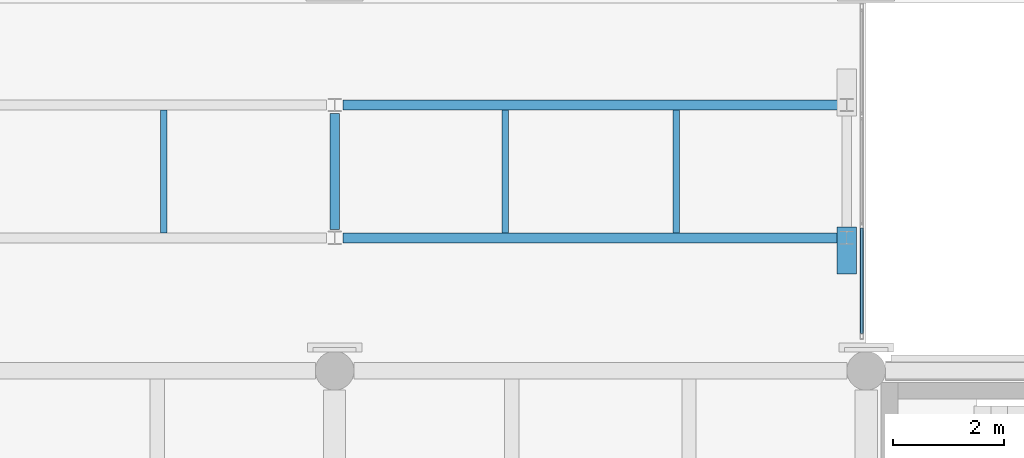
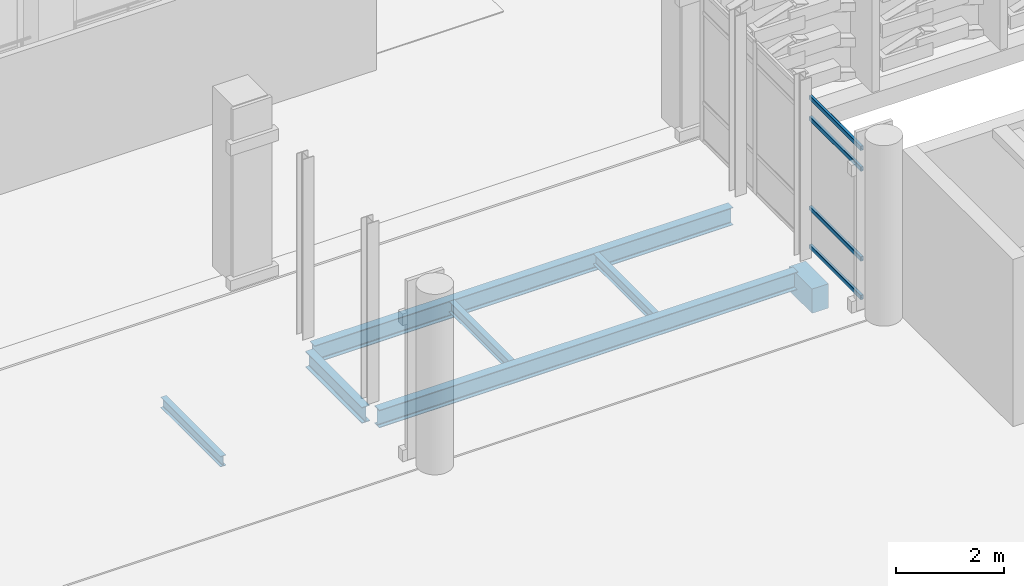
# One storey, part 81 of 180: 7 beams, 4 members, 1 element without a shape of its own.
"""IFC4 building model written with IfcOpenShell, lengths in metres."""

import ifcopenshell
import ifcopenshell.guid

model = None  # the IFC model being written
_history = None  # IfcOwnerHistory: only IFC2X3 demands one
_inside = {}  # id of a spatial element -> (the spatial element, [elements in it])
_under = {}  # id of a project, library or spatial element -> (it, [spatial elements below it])
_declared = {}  # id of a project -> (the project, [libraries it declares])
_typed = {}  # id of a type object -> (the type object, [elements of that type])
_made_of = {}  # id of a material, layer set ... -> (it, [elements and type objects made of it])


def new_model(schema):
    """Start an empty IFC model of exactly this schema.

    Asked for "IFC4X3", IfcOpenShell would pick the latest addendum, in which some entities
    have other attributes; the version numbers below select the first issue.
    IFC2X3 requires an IfcOwnerHistory on every rooted entity: one is made here for all.
    """
    global model, _history
    if schema == "IFC4X3":
        model = ifcopenshell.file(schema_version=(4, 3, 0, 0))
    else:
        model = ifcopenshell.file(schema=schema)
    _inside.clear()
    _under.clear()
    _declared.clear()
    _typed.clear()
    _made_of.clear()
    _history = None
    if model.schema == "IFC2X3":
        org = make("IfcOrganization", Name="unknown")
        user = make(
            "IfcPersonAndOrganization",
            ThePerson=make("IfcPerson", FamilyName="unknown"),
            TheOrganization=org,
        )
        app = make(
            "IfcApplication",
            ApplicationDeveloper=org,
            Version="unknown",
            ApplicationFullName="unknown",
            ApplicationIdentifier="unknown",
        )
        _history = make(
            "IfcOwnerHistory",
            OwningUser=user,
            OwningApplication=app,
            ChangeAction="ADDED",
            CreationDate=0,
        )
    return model


def make(cls, **values):
    """One entity of the class cls with the attributes given. An attribute that is None is left unset."""
    return model.create_entity(
        cls, **{name: value for name, value in values.items() if value is not None}
    )


def rooted(cls, **values):
    """An entity with a GlobalId (a new one), such as an element, a storey or a relation."""
    return make(cls, GlobalId=ifcopenshell.guid.new(), OwnerHistory=_history, **values)


def si_unit(unit_type, name, prefix=None):
    """IfcSIUnit, for example si_unit("LENGTHUNIT", "METRE", prefix="MILLI")."""
    return make("IfcSIUnit", UnitType=unit_type, Prefix=prefix, Name=name)


def assignment(units):
    """IfcUnitAssignment: the units of a project."""
    return None if units is None else make("IfcUnitAssignment", Units=units)


def point(xyz):
    """IfcCartesianPoint."""
    return None if xyz is None else make("IfcCartesianPoint", Coordinates=xyz)


def direction(xyz):
    """IfcDirection."""
    return None if xyz is None else make("IfcDirection", DirectionRatios=xyz)


def frame(location, z_axis=None, x_axis=None):
    """IfcAxis2Placement3D, a coordinate frame: its origin and axes. An axis left out is left unset."""
    return make(
        "IfcAxis2Placement3D",
        Location=point(location),
        Axis=direction(z_axis),
        RefDirection=direction(x_axis),
    )


def frame_2d(location, x_axis=None):
    """IfcAxis2Placement2D, a coordinate frame in the plane: its origin and x axis."""
    return make(
        "IfcAxis2Placement2D", Location=point(location), RefDirection=direction(x_axis)
    )


def origin():
    """The frame at (0, 0, 0) with its axes left unset."""
    return frame((0.0, 0.0, 0.0))


def origin_2d():
    """The frame at (0, 0) in the plane with its x axis left unset."""
    return frame_2d((0.0, 0.0))


def place(relative_to, where):
    """IfcLocalPlacement: puts the frame where relative to a parent placement (None: the world)."""
    return make(
        "IfcLocalPlacement", PlacementRelTo=relative_to, RelativePlacement=where
    )


def context(
    kind, dimensions, precision=None, world=None, true_north=None, identifier=None
):
    """IfcGeometricRepresentationContext, for example the 3D "Model" context."""
    return make(
        "IfcGeometricRepresentationContext",
        ContextIdentifier=identifier,
        ContextType=kind,
        CoordinateSpaceDimension=dimensions,
        Precision=precision,
        WorldCoordinateSystem=world,
        TrueNorth=true_north,
    )


def subcontext(parent, identifier, kind, view, scale=None):
    """IfcGeometricRepresentationSubContext, for example "Body" below "Model"."""
    return make(
        "IfcGeometricRepresentationSubContext",
        ContextIdentifier=identifier,
        ContextType=kind,
        ParentContext=parent,
        TargetScale=scale,
        TargetView=view,
    )


def project(units=None, contexts=None):
    """IfcProject with its units and contexts."""
    return rooted(
        "IfcProject",
        Name="project",
        RepresentationContexts=contexts,
        UnitsInContext=assignment(units),
    )


def spatial(cls, under=None, at=None, **own):
    """A site, building, storey or space (cls), placed at a placement, below another one or the project."""
    s = rooted(cls, ObjectPlacement=at, **own)
    if under is not None:
        _under.setdefault(under.id(), (under, []))[1].append(s)
    return s


def profile(cls, at=None, kind="AREA", **sizes):
    """A parametric profile (cls). Its sizes go by their IFC names, for example OverallWidth=200.0."""
    return make(cls, ProfileType=kind, Position=at, **sizes)


def rectangle(**sizes):
    """IfcRectangleProfileDef."""
    return profile("IfcRectangleProfileDef", **sizes)


def hollow_rectangle(**sizes):
    """IfcRectangleHollowProfileDef."""
    return profile("IfcRectangleHollowProfileDef", **sizes)


def i_section(**sizes):
    """IfcIShapeProfileDef."""
    return profile("IfcIShapeProfileDef", **sizes)


def extrude(swept, where, along, depth):
    """IfcExtrudedAreaSolid: the profile swept, set in the frame where, extruded along a direction by depth."""
    return make(
        "IfcExtrudedAreaSolid",
        SweptArea=swept,
        Position=where,
        ExtrudedDirection=direction(along),
        Depth=depth,
    )


def shape(context_of_items, identifier, shape_type, items):
    """IfcShapeRepresentation: the items that make up one representation, for example the "Body"."""
    return make(
        "IfcShapeRepresentation",
        ContextOfItems=context_of_items,
        RepresentationIdentifier=identifier,
        RepresentationType=shape_type,
        Items=items,
    )


def material(Name=None, Category=None):
    """IfcMaterial."""
    return make("IfcMaterial", Name=Name, Category=Category)


def layer(
    of_material, thickness, ventilated=None, Name=None, Category=None, Priority=None
):
    """IfcMaterialLayer: one layer of a wall or slab, of a material (None: an air gap)."""
    return make(
        "IfcMaterialLayer",
        Material=of_material,
        LayerThickness=thickness,
        IsVentilated=ventilated,
        Name=Name,
        Category=Category,
        Priority=Priority,
    )


def layer_set(layers, Name=None):
    """IfcMaterialLayerSet."""
    return make("IfcMaterialLayerSet", MaterialLayers=layers, LayerSetName=Name)


def material_profile(
    of_material, cross_section, Name=None, Category=None, Priority=None
):
    """IfcMaterialProfile: a cross section and its material."""
    return make(
        "IfcMaterialProfile",
        Name=Name,
        Material=of_material,
        Profile=cross_section,
        Priority=Priority,
        Category=Category,
    )


def profile_set(profiles, Name=None, composite=None):
    """IfcMaterialProfileSet."""
    return make(
        "IfcMaterialProfileSet",
        Name=Name,
        MaterialProfiles=profiles,
        CompositeProfile=composite,
    )


def made_of(thing, what):
    """Note that an element or type object is made of a material, layer set ...; save() writes the relation."""
    if what is not None:
        _made_of.setdefault(what.id(), (what, []))[1].append(thing)
    return thing


def type_object(cls, material=None, **own):
    """A type object (cls), such as IfcWallType, which elements share."""
    return made_of(rooted(cls, **own), material)


def element(
    cls,
    number,
    at=None,
    inside=None,
    cuts=None,
    type_object=None,
    material=None,
    context=None,
    identifier="Body",
    shape_type=None,
    held_by="IfcProductDefinitionShape",
    body=None,
    shapes=None,
    **own,
):
    """One element of the class cls, such as IfcWall. Its Tag is "e" and its number.

    at: its placement. inside: the storey or other place that contains it. cuts: it is an
    opening in that element (IfcRelVoidsElement). A single representation is given by context,
    identifier, shape_type and body (its items); several are given by shapes. held_by: the class
    of the entity that holds the representations. save() writes the other relations.
    """
    e = rooted(cls, Tag="e%d" % number, ObjectPlacement=at, **own)
    if body is not None:
        shapes = [shape(context, identifier, shape_type, body)]
    if shapes is not None:
        e.Representation = make(held_by, Representations=shapes)
    if inside is not None:
        _inside.setdefault(inside.id(), (inside, []))[1].append(e)
    if cuts is not None:
        rooted(
            "IfcRelVoidsElement", RelatingBuildingElement=cuts, RelatedOpeningElement=e
        )
    if type_object is not None:
        _typed.setdefault(type_object.id(), (type_object, []))[1].append(e)
    return made_of(e, material)


def aggregate(whole, parts):
    """IfcRelAggregates: a whole, such as a stair, and the parts it consists of."""
    return rooted("IfcRelAggregates", RelatingObject=whole, RelatedObjects=parts)


def save(model, path):
    """Write the relations noted so far, then the file.

    IfcRelAggregates (storeys below a building ...), IfcRelContainedInSpatialStructure (elements
    in a storey), IfcRelDefinesByType, IfcRelAssociatesMaterial and IfcRelDeclares: one each for
    every whole, place, type object, material and project.
    """
    for whole, parts in _under.values():
        aggregate(whole, parts)
    for where, things in _inside.values():
        rooted(
            "IfcRelContainedInSpatialStructure",
            RelatedElements=things,
            RelatingStructure=where,
        )
    for kind, things in _typed.values():
        rooted("IfcRelDefinesByType", RelatedObjects=things, RelatingType=kind)
    for what, things in _made_of.values():
        rooted("IfcRelAssociatesMaterial", RelatedObjects=things, RelatingMaterial=what)
    for by, libraries in _declared.values():
        rooted("IfcRelDeclares", RelatingContext=by, RelatedDefinitions=libraries)
    model.write(path)


model = new_model("IFC4")

# Units and contexts
model_context = context("Model", 3, precision=1e-05, world=origin(), true_north=direction((0.0, 1.0)))
body_context = subcontext(model_context, "Body", "Model", "MODEL_VIEW")
ifc_project = project(units=[si_unit("LENGTHUNIT", "METRE"), si_unit("AREAUNIT", "SQUARE_METRE"), si_unit("VOLUMEUNIT", "CUBIC_METRE"), si_unit("PLANEANGLEUNIT", "RADIAN"), si_unit("MASSUNIT", "GRAM", prefix="KILO")], contexts=[model_context])

# Site, building, storey
site_placement = place(None, origin())
site = spatial("IfcSite", under=ifc_project, at=site_placement, CompositionType="ELEMENT")
building_placement = place(site_placement, origin())
building = spatial("IfcBuilding", under=site, at=building_placement, Name="Asteropetra Specialist Clinic", CompositionType="ELEMENT")
storey_placement = place(building_placement, frame((0.0, 0.0, 4.419921875)))
storey = spatial("IfcBuildingStorey", under=building, at=storey_placement, Name="L01", CompositionType="ELEMENT", Elevation=4.419921875)

# Beams
ifc_material_1 = material(Name="Concrete C35/45", Category="concrete")
ifc_material_profile_1 = material_profile(ifc_material_1, rectangle(XDim=0.35009765625, YDim=0.550048828125, at=origin_2d()), Name="RCB 350x550")
ifc_profile_set_1 = profile_set([ifc_material_profile_1], Name="Concrete C35/45")
beam_type_1 = type_object("IfcBeamType", Name="BM-RC350x550", PredefinedType="BEAM", material=ifc_profile_set_1)
beam_1_placement = place(storey_placement, frame((28.449951171875, 65.0, -0.559814453125), z_axis=(0.0, -1.0, 0.0), x_axis=(1.0, 0.0, 0.0)))
element("IfcBeam", 1, at=beam_1_placement, inside=storey, type_object=beam_type_1, Name="Bridge Bearing Seat Corbel CRB-11", PredefinedType="BEAM", context=body_context, shape_type="SweptSolid", body=[
    extrude(rectangle(XDim=0.35009765625, YDim=0.550048828125, at=origin_2d()), origin(), (0.0, 0.0, 1.0), 0.85009765625),
])
ifc_material_2 = material(Name="Steel S355", Category="steel")
ifc_material_profile_2 = material_profile(ifc_material_2, i_section(OverallWidth=0.169921875, OverallDepth=0.360107421875, WebThickness=0.008056640625, FlangeThickness=0.0126953125, FilletRadius=0.01806640625, at=origin_2d()), Name="IPE 360")
ifc_profile_set_2 = profile_set([ifc_material_profile_2], Name="Steel S355")
beam_type_2 = type_object("IfcBeamType", Name="BM-STL-IPE360", PredefinedType="BEAM", material=ifc_profile_set_2)
beam_2_placement = place(storey_placement, frame((19.199951171875, 64.949951171875, -0.419921875), z_axis=(0.0, 1.0, 0.0), x_axis=(-1.0, 0.0, 0.0)))
element("IfcBeam", 2, at=beam_2_placement, inside=storey, type_object=beam_type_2, Name="Beam BBMS4-0816", PredefinedType="BEAM", context=body_context, shape_type="SweptSolid", body=[
    extrude(i_section(OverallWidth=0.169921875, OverallDepth=0.360107421875, WebThickness=0.008056640625, FlangeThickness=0.0126953125, FilletRadius=0.01806640625, at=origin_2d()), origin(), (0.0, 0.0, 1.0), 2.10009765625),
])
ifc_material_3 = material(Name="Steel S355", Category="steel")
ifc_material_profile_3 = material_profile(ifc_material_3, i_section(OverallWidth=0.179931640625, OverallDepth=0.39990234375, WebThickness=0.008544921875, FlangeThickness=0.013427734375, FilletRadius=0.02099609375, at=origin_2d()), Name="IPE 400")
ifc_profile_set_3 = profile_set([ifc_material_profile_3], Name="Steel S355")
beam_type_3 = type_object("IfcBeamType", Name="BM-STL-IPE400", PredefinedType="BEAM", material=ifc_profile_set_3)
for number, where, z_axis, x_axis, name in (
    (3, (19.35009765625, 64.800048828125, -0.43994140625), (1.0, 0.0, 0.0), (0.0, 1.0, 0.0), "Beam BBMS3-0812"),
    (4, (19.35009765625, 67.199951171875, -0.43994140625), (1.0, 0.0, 0.0), (0.0, 1.0, 0.0), "Beam BBMS3-0814"),
):
    element("IfcBeam", number, at=place(storey_placement, frame(where, z_axis=z_axis, x_axis=x_axis)), inside=storey, type_object=beam_type_3, Name=name, PredefinedType="BEAM", context=body_context, shape_type="SweptSolid", body=[
        extrude(i_section(OverallWidth=0.179931640625, OverallDepth=0.39990234375, WebThickness=0.008544921875, FlangeThickness=0.013427734375, FilletRadius=0.02099609375, at=origin_2d()), origin(), (0.0, 0.0, 1.0), 8.949951171875),
    ])

# Curtain wall, members
ifc_material_4 = material(Name="Aluminium and low-E glass", Category="aluminium")
ifc_layer = layer(ifc_material_4, 0.135009765625)
ifc_layer_set = layer_set([ifc_layer], Name="Aluminium and low-E glass")
curtain_wall_type = type_object("IfcCurtainWallType", Name="CW-SYS-09", PredefinedType="USERDEFINED", material=ifc_layer_set)
curtain_wall_placement = place(storey_placement, origin())
curtain_wall = element("IfcCurtainWall", 5, at=curtain_wall_placement, inside=storey, type_object=curtain_wall_type, Name="Curtain Wall CW-104", ObjectType="STICK GLAZED COLONNADE", PredefinedType="USERDEFINED")
ifc_material_5 = material(Name="Aluminium 6063-T6", Category="aluminium")
ifc_material_profile_4 = material_profile(ifc_material_5, hollow_rectangle(XDim=0.06005859375, YDim=0.10009765625, WallThickness=0.00341796875, InnerFilletRadius=0.00341796875, OuterFilletRadius=0.007080078125, at=origin_2d()), Name="TRN 100x60x3.5")
ifc_profile_set_4 = profile_set([ifc_material_profile_4], Name="Aluminium 6063-T6")
member_type = type_object("IfcMemberType", Name="CWT-100x60", PredefinedType="USERDEFINED", material=ifc_profile_set_4)
member_1_placement = place(storey_placement, frame((28.719970703125, 64.973388671875, 0.030029296875), z_axis=(0.0, -1.0, 0.0), x_axis=(1.0, 0.0, 0.0)))
member_1 = element("IfcMember", 6, at=member_1_placement, type_object=member_type, Name="CW-104 transom 3.1", ObjectType="TRANSOM", PredefinedType="USERDEFINED", context=body_context, shape_type="SweptSolid", body=[
    extrude(hollow_rectangle(XDim=0.06005859375, YDim=0.10009765625, WallThickness=0.00341796875, InnerFilletRadius=0.00341796875, OuterFilletRadius=0.007080078125, at=origin_2d()), origin(), (0.0, 0.0, 1.0), 1.9033203125),
])
member_2_placement = place(storey_placement, frame((28.719970703125, 64.973388671875, 0.900146484375), z_axis=(0.0, -1.0, 0.0), x_axis=(1.0, 0.0, 0.0)))
member_2 = element("IfcMember", 7, at=member_2_placement, type_object=member_type, Name="CW-104 transom 3.2", ObjectType="TRANSOM", PredefinedType="USERDEFINED", context=body_context, shape_type="SweptSolid", body=[
    extrude(hollow_rectangle(XDim=0.06005859375, YDim=0.10009765625, WallThickness=0.00341796875, InnerFilletRadius=0.00341796875, OuterFilletRadius=0.007080078125, at=origin_2d()), origin(), (0.0, 0.0, 1.0), 1.9033203125),
])
member_3_placement = place(storey_placement, frame((28.719970703125, 64.973388671875, 2.93017578125), z_axis=(0.0, -1.0, 0.0), x_axis=(1.0, 0.0, 0.0)))
member_3 = element("IfcMember", 8, at=member_3_placement, type_object=member_type, Name="CW-104 transom 3.3", ObjectType="TRANSOM", PredefinedType="USERDEFINED", context=body_context, shape_type="SweptSolid", body=[
    extrude(hollow_rectangle(XDim=0.06005859375, YDim=0.10009765625, WallThickness=0.00341796875, InnerFilletRadius=0.00341796875, OuterFilletRadius=0.007080078125, at=origin_2d()), origin(), (0.0, 0.0, 1.0), 1.9033203125),
])
member_4_placement = place(storey_placement, frame((28.719970703125, 64.973388671875, 3.400146484375), z_axis=(0.0, -1.0, 0.0), x_axis=(1.0, 0.0, 0.0)))
member_4 = element("IfcMember", 9, at=member_4_placement, type_object=member_type, Name="CW-104 transom 3.4", ObjectType="TRANSOM", PredefinedType="USERDEFINED", context=body_context, shape_type="SweptSolid", body=[
    extrude(hollow_rectangle(XDim=0.06005859375, YDim=0.10009765625, WallThickness=0.00341796875, InnerFilletRadius=0.00341796875, OuterFilletRadius=0.007080078125, at=origin_2d()), origin(), (0.0, 0.0, 1.0), 1.9033203125),
])
aggregate(curtain_wall, [member_1, member_2, member_3, member_4])

# Beams
ifc_material_6 = material(Name="Steel S355", Category="steel")
ifc_material_profile_5 = material_profile(ifc_material_6, i_section(OverallWidth=0.1201171875, OverallDepth=0.239990234375, WebThickness=0.006103515625, FlangeThickness=0.009765625, FilletRadius=0.014892578125, at=origin_2d()), Name="IPE 240")
ifc_profile_set_5 = profile_set([ifc_material_profile_5], Name="Steel S355")
beam_type_4 = type_object("IfcBeamType", Name="JST-STL-IPE240", PredefinedType="JOIST", material=ifc_profile_set_5)
for number, where, z_axis, x_axis, name in (
    (10, (16.11669921875, 64.889892578125, -0.35986328125), (0.0, 1.0, 0.0), (-1.0, 0.0, 0.0), "Joist JJSTS1-0819"),
    (11, (22.283203125, 64.889892578125, -0.35986328125), (0.0, 1.0, 0.0), (-1.0, 0.0, 0.0), "Joist JJSTS1-0820"),
    (12, (25.36669921875, 64.889892578125, -0.35986328125), (0.0, 1.0, 0.0), (-1.0, 0.0, 0.0), "Joist JJSTS1-0821"),
):
    element("IfcBeam", number, at=place(storey_placement, frame(where, z_axis=z_axis, x_axis=x_axis)), inside=storey, type_object=beam_type_4, Name=name, PredefinedType="JOIST", context=body_context, shape_type="SweptSolid", body=[
        extrude(i_section(OverallWidth=0.1201171875, OverallDepth=0.239990234375, WebThickness=0.006103515625, FlangeThickness=0.009765625, FilletRadius=0.014892578125, at=origin_2d()), origin(), (0.0, 0.0, 1.0), 2.22021484375),
    ])

save(model, "model.ifc")
